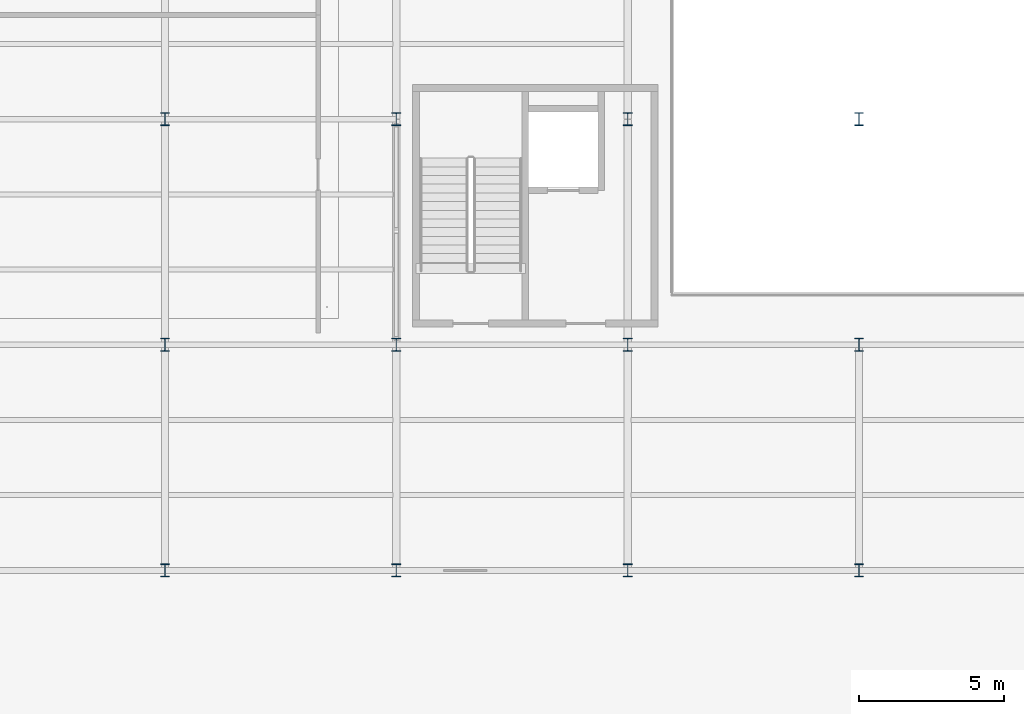
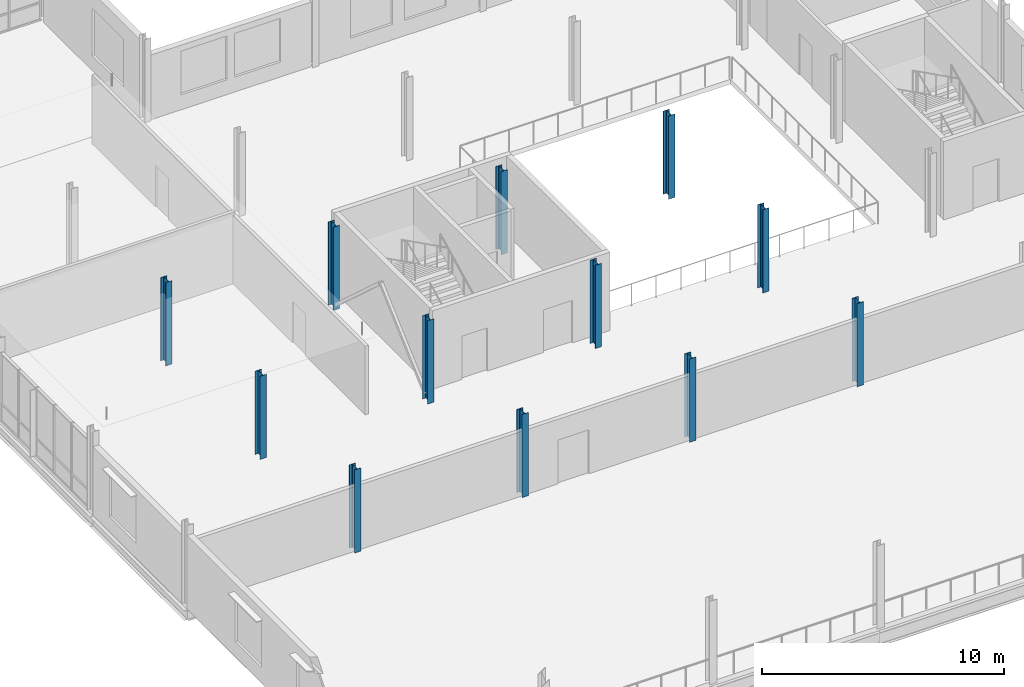
# One storey, part 6 of 75: 12 columns.
"""IFC4 building model written with IfcOpenShell, lengths in metres."""

from ifc_helpers import new_model, si_unit, direction, frame, origin, origin_2d, place, context, subcontext, project, spatial, i_section, extrude, material, material_profile, profile_set, type_object, element, save


model = new_model("IFC4")

# Units and contexts
model_context = context("Model", 3, precision=1e-05, world=origin(), true_north=direction((0.0, 1.0)))
body_context = subcontext(model_context, "Body", "Model", "MODEL_VIEW")
ifc_project = project(units=[si_unit("LENGTHUNIT", "METRE"), si_unit("AREAUNIT", "SQUARE_METRE"), si_unit("VOLUMEUNIT", "CUBIC_METRE"), si_unit("PLANEANGLEUNIT", "RADIAN"), si_unit("MASSUNIT", "GRAM", prefix="KILO")], contexts=[model_context])

# Site, building, storey
site_placement = place(None, origin())
site = spatial("IfcSite", under=ifc_project, at=site_placement, CompositionType="ELEMENT")
building_placement = place(site_placement, origin())
building = spatial("IfcBuilding", under=site, at=building_placement, Name="Yukiwa Park Conservatory and Herbarium", CompositionType="ELEMENT")
storey_placement = place(building_placement, frame((0.0, 0.0, 4.800048828125)))
storey = spatial("IfcBuildingStorey", under=building, at=storey_placement, Name="L01", CompositionType="ELEMENT", Elevation=4.800048828125)

# Columns
ifc_material = material(Name="Steel Q355D", Category="steel")
ifc_material_profile = material_profile(ifc_material, i_section(OverallWidth=0.300048828125, OverallDepth=0.43994140625, WebThickness=0.010986328125, FlangeThickness=0.01806640625, FilletRadius=0.02392578125, at=origin_2d()), Name="HM 440x300x11x18")
ifc_profile_set = profile_set([ifc_material_profile], Name="Steel Q355D")
column_type = type_object("IfcColumnType", Name="COL-VS-HM440", PredefinedType="COLUMN", material=ifc_profile_set)
for number, where, z_axis, x_axis, name in (
    (1, (68.0, 46.800048828125, 0.0), (0.0, 0.0, 1.0), (1.0, 0.0, 0.0), "L01 column V3-X680-Y468"),
    (2, (68.0, 54.60009765625, 0.0), (0.0, 0.0, 1.0), (1.0, 0.0, 0.0), "L01 column V3-X680-Y546"),
    (3, (68.0, 62.39990234375, 0.0), (0.0, 0.0, 1.0), (1.0, 0.0, 0.0), "L01 column V3-X680-Y624"),
    (4, (76.0, 46.800048828125, 0.0), (0.0, 0.0, 1.0), (1.0, 0.0, 0.0), "L01 column V3-X760-Y468"),
    (5, (76.0, 54.60009765625, 0.0), (0.0, 0.0, 1.0), (1.0, 0.0, 0.0), "L01 column V3-X760-Y546"),
    (6, (76.0, 62.39990234375, 0.0), (0.0, 0.0, 1.0), (1.0, 0.0, 0.0), "L01 column V3-X760-Y624"),
    (7, (84.0, 46.800048828125, 0.0), (0.0, 0.0, 1.0), (1.0, 0.0, 0.0), "L01 column V3-X840-Y468"),
    (8, (84.0, 54.60009765625, 0.0), (0.0, 0.0, 1.0), (1.0, 0.0, 0.0), "L01 column V3-X840-Y546"),
    (9, (84.0, 62.39990234375, 0.0), (0.0, 0.0, 1.0), (1.0, 0.0, 0.0), "L01 column V3-X840-Y624"),
    (10, (92.0, 46.800048828125, 0.0), (0.0, 0.0, 1.0), (1.0, 0.0, 0.0), "L01 column V3-X920-Y468"),
    (11, (92.0, 54.60009765625, 0.0), (0.0, 0.0, 1.0), (1.0, 0.0, 0.0), "L01 column V3-X920-Y546"),
    (12, (92.0, 62.39990234375, 0.0), (0.0, 0.0, 1.0), (1.0, 0.0, 0.0), "L01 column V3-X920-Y624"),
):
    element("IfcColumn", number, at=place(storey_placement, frame(where, z_axis=z_axis, x_axis=x_axis)), inside=storey, type_object=column_type, Name=name, PredefinedType="COLUMN", context=body_context, shape_type="SweptSolid", body=[
        extrude(i_section(OverallWidth=0.300048828125, OverallDepth=0.43994140625, WebThickness=0.010986328125, FlangeThickness=0.01806640625, FilletRadius=0.02392578125, at=origin_2d()), origin(), (0.0, 0.0, 1.0), 4.199951171875),
    ])

save(model, "model.ifc")
